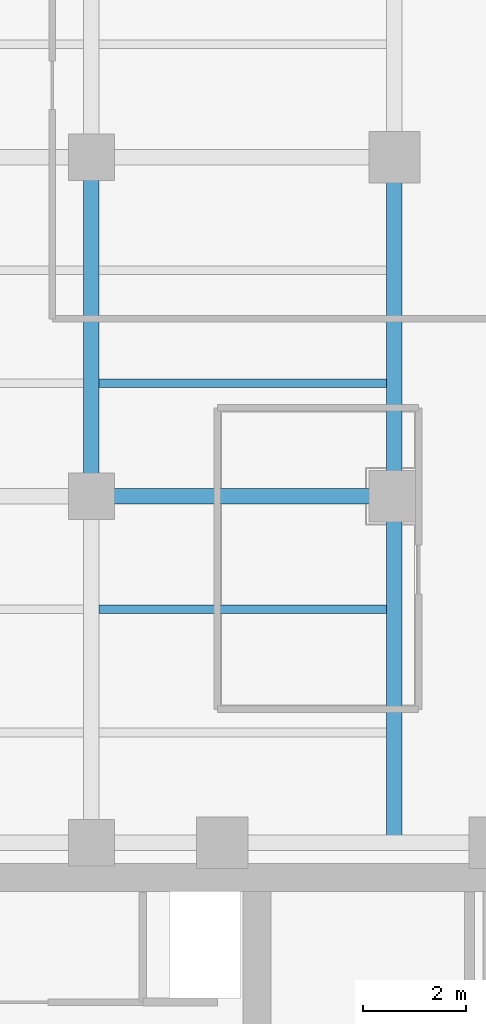
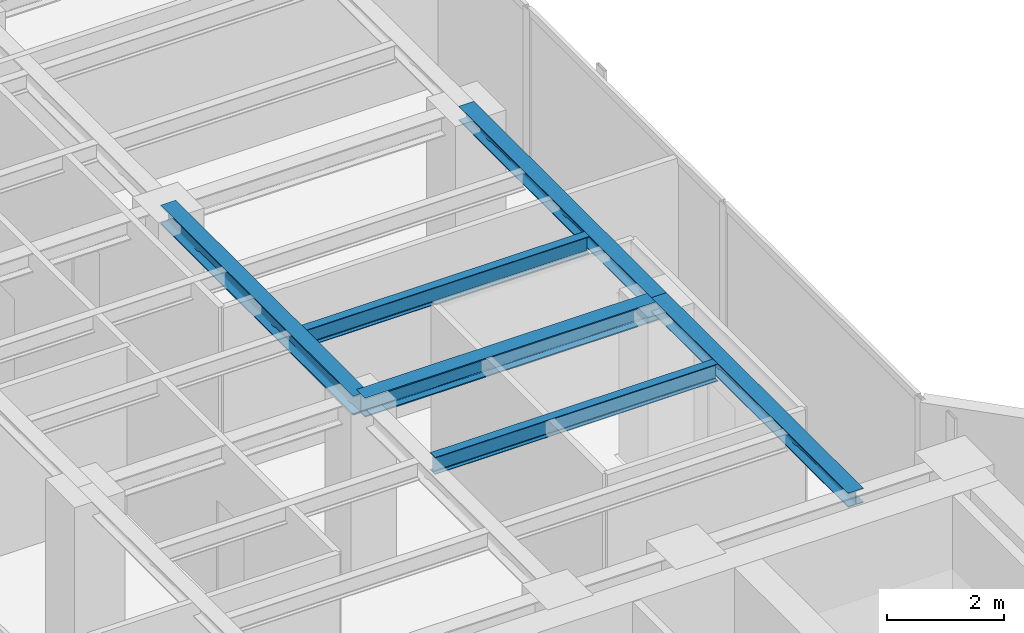
# One storey, part 9 of 22: 6 beams.
"""IFC4 building model written with IfcOpenShell, lengths in metres."""

from ifc_helpers import new_model, si_unit, direction, frame, origin, origin_2d, place, context, subcontext, project, spatial, i_section, extrude, material, material_profile, profile_set, type_object, element, save


model = new_model("IFC4")

# Units and contexts
model_context = context("Model", 3, precision=1e-05, world=origin(), true_north=direction((0.0, 1.0)))
body_context = subcontext(model_context, "Body", "Model", "MODEL_VIEW")
ifc_project = project(units=[si_unit("LENGTHUNIT", "METRE"), si_unit("AREAUNIT", "SQUARE_METRE"), si_unit("VOLUMEUNIT", "CUBIC_METRE"), si_unit("PLANEANGLEUNIT", "RADIAN"), si_unit("MASSUNIT", "GRAM", prefix="KILO")], contexts=[model_context])

# Site, building, storey
site_placement = place(None, origin())
site = spatial("IfcSite", under=ifc_project, at=site_placement, CompositionType="ELEMENT")
building_placement = place(site_placement, origin())
building = spatial("IfcBuilding", under=site, at=building_placement, Name="Kolvaren Waterfront Exchange", CompositionType="ELEMENT")
storey_placement = place(building_placement, frame((0.0, 0.0, 219.699951171875)))
storey = spatial("IfcBuildingStorey", under=building, at=storey_placement, Name="L56", CompositionType="ELEMENT", Elevation=219.699951171875)

# Beams
ifc_material = material(Name="Steel S355", Category="steel")
ifc_material_profile_1 = material_profile(ifc_material, i_section(OverallWidth=0.300048828125, OverallDepth=0.300048828125, WebThickness=0.010986328125, FlangeThickness=0.01904296875, FilletRadius=0.027099609375, at=origin_2d()), Name="HEB300")
ifc_profile_set_1 = profile_set([ifc_material_profile_1], Name="Steel S355")
beam_type_1 = type_object("IfcBeamType", Name="STR-BM-HEB300", PredefinedType="SPANDREL", material=ifc_profile_set_1)
beam_1_placement = place(storey_placement, frame((18.800048828125, 24.449951171875, 3.35009765625), z_axis=(0.0, 1.0, 0.0), x_axis=(-1.0, 0.0, 0.0)))
element("IfcBeam", 1, at=beam_1_placement, inside=storey, type_object=beam_type_1, Name="L56 north-arm edge beam 1", PredefinedType="SPANDREL", context=body_context, shape_type="SweptSolid", body=[
    extrude(i_section(OverallWidth=0.300048828125, OverallDepth=0.300048828125, WebThickness=0.010986328125, FlangeThickness=0.01904296875, FilletRadius=0.027099609375, at=origin_2d()), origin(), (0.0, 0.0, 1.0), 6.75),
])
beam_2_placement = place(storey_placement, frame((18.800048828125, 31.199951171875, 3.35009765625), z_axis=(0.0, 1.0, 0.0), x_axis=(-1.0, 0.0, 0.0)))
element("IfcBeam", 2, at=beam_2_placement, inside=storey, type_object=beam_type_1, Name="L56 north-arm edge beam 2", PredefinedType="SPANDREL", context=body_context, shape_type="SweptSolid", body=[
    extrude(i_section(OverallWidth=0.300048828125, OverallDepth=0.300048828125, WebThickness=0.010986328125, FlangeThickness=0.01904296875, FilletRadius=0.027099609375, at=origin_2d()), origin(), (0.0, 0.0, 1.0), 6.60009765625),
])
ifc_material_profile_2 = material_profile(ifc_material, i_section(OverallWidth=0.300048828125, OverallDepth=0.39990234375, WebThickness=0.013427734375, FlangeThickness=0.02392578125, FilletRadius=0.027099609375, at=origin_2d()), Name="HEB400")
ifc_profile_set_2 = profile_set([ifc_material_profile_2], Name="Steel S355")
beam_type_2 = type_object("IfcBeamType", Name="STR-BM-HEB400", PredefinedType="BEAM", material=ifc_profile_set_2)
beam_3_placement = place(storey_placement, frame((12.89990234375, 31.199951171875, 3.300048828125), z_axis=(1.0, 0.0, 0.0), x_axis=(0.0, 1.0, 0.0)))
element("IfcBeam", 3, at=beam_3_placement, inside=storey, type_object=beam_type_2, Name="L56 north-arm girder 2B", PredefinedType="BEAM", context=body_context, shape_type="SweptSolid", body=[
    extrude(i_section(OverallWidth=0.300048828125, OverallDepth=0.39990234375, WebThickness=0.013427734375, FlangeThickness=0.02392578125, FilletRadius=0.027099609375, at=origin_2d()), origin(), (0.0, 0.0, 1.0), 5.900146484375),
])
beam_4_placement = place(storey_placement, frame((12.89990234375, 31.199951171875, 3.300048828125), z_axis=(0.0, 1.0, 0.0), x_axis=(-1.0, 0.0, 0.0)))
element("IfcBeam", 4, at=beam_4_placement, inside=storey, type_object=beam_type_2, Name="L56 north-arm edge beam 2", PredefinedType="BEAM", context=body_context, shape_type="SweptSolid", body=[
    extrude(i_section(OverallWidth=0.300048828125, OverallDepth=0.39990234375, WebThickness=0.013427734375, FlangeThickness=0.02392578125, FilletRadius=0.027099609375, at=origin_2d()), origin(), (0.0, 0.0, 1.0), 6.60009765625),
])
ifc_material_profile_3 = material_profile(ifc_material, i_section(OverallWidth=0.169921875, OverallDepth=0.360107421875, WebThickness=0.008056640625, FlangeThickness=0.0126953125, FilletRadius=0.01806640625, at=origin_2d()), Name="IPE360")
ifc_profile_set_3 = profile_set([ifc_material_profile_3], Name="Steel S355")
beam_type_3 = type_object("IfcBeamType", Name="STR-BM-IPE360", PredefinedType="JOIST", material=ifc_profile_set_3)
for number, where, z_axis, x_axis, name in (
    (5, (13.052001953125, 29.0, 3.320068359375), (1.0, 0.0, 0.0), (0.0, 1.0, 0.0), "L56 north-arm composite joist 2B"),
    (6, (13.052001953125, 33.39990234375, 3.320068359375), (1.0, 0.0, 0.0), (0.0, 1.0, 0.0), "L56 north-arm composite joist 3B"),
):
    element("IfcBeam", number, at=place(storey_placement, frame(where, z_axis=z_axis, x_axis=x_axis)), inside=storey, type_object=beam_type_3, Name=name, PredefinedType="JOIST", context=body_context, shape_type="SweptSolid", body=[
        extrude(i_section(OverallWidth=0.169921875, OverallDepth=0.360107421875, WebThickness=0.008056640625, FlangeThickness=0.0126953125, FilletRadius=0.01806640625, at=origin_2d()), origin(), (0.0, 0.0, 1.0), 5.595947265625),
    ])

save(model, "model.ifc")
